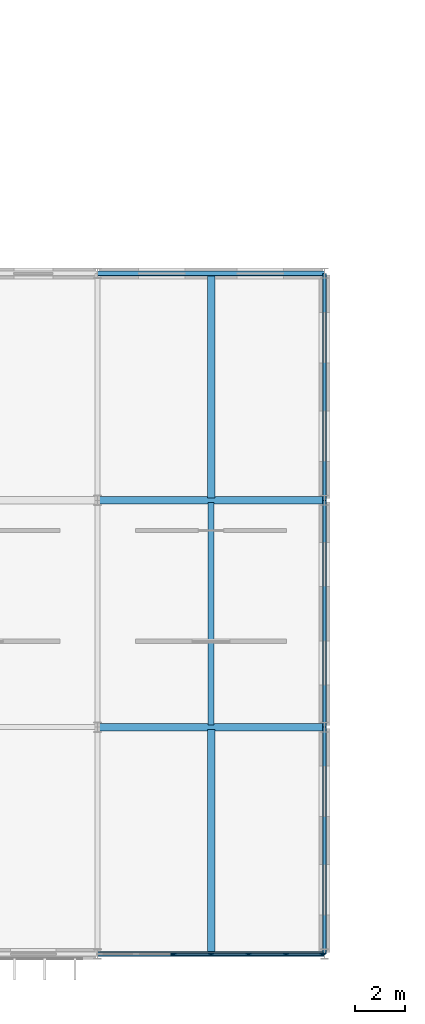
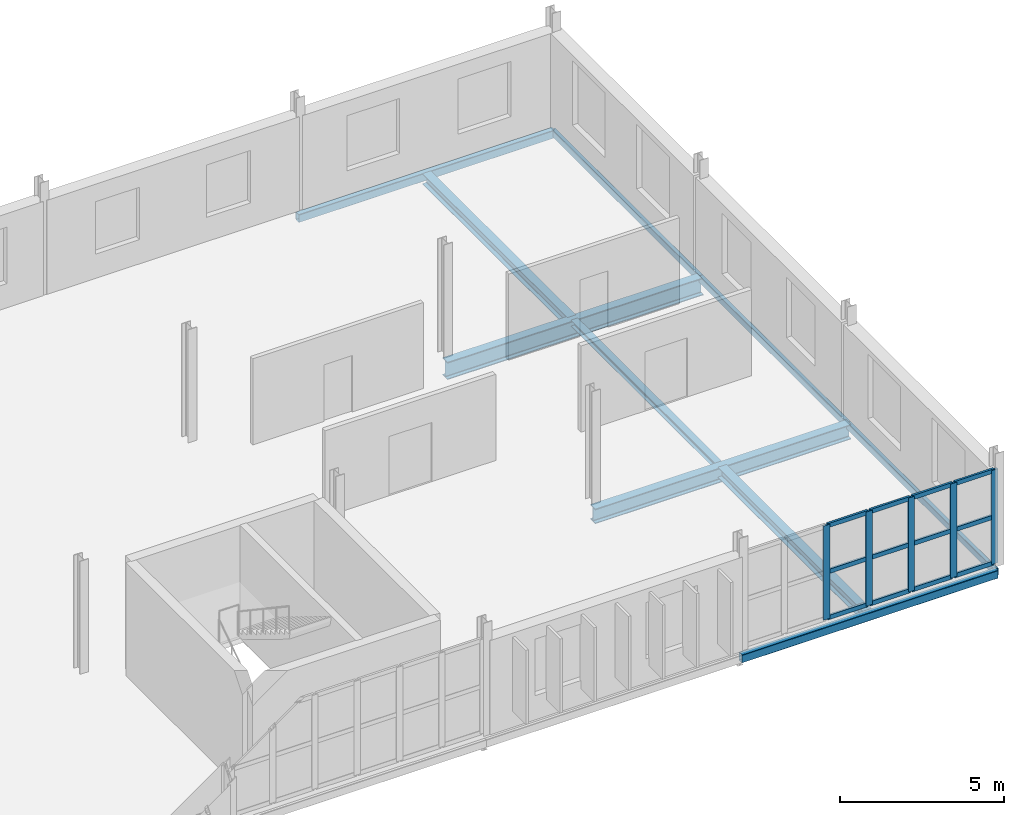
# One storey, part 76 of 161: 17 members, 10 beams, 1 element without a shape of its own.
"""IFC4 building model written with IfcOpenShell, lengths in metres."""

from ifc_helpers import new_model, si_unit, direction, frame, origin, origin_2d, place, context, subcontext, project, spatial, rectangle, hollow_rectangle, i_section, extrude, material, material_profile, profile_set, type_object, element, aggregate, save


model = new_model("IFC4")

# Units and contexts
model_context = context("Model", 3, precision=1e-05, world=origin(), true_north=direction((0.0, 1.0)))
body_context = subcontext(model_context, "Body", "Model", "MODEL_VIEW")
ifc_project = project(units=[si_unit("LENGTHUNIT", "METRE"), si_unit("AREAUNIT", "SQUARE_METRE"), si_unit("VOLUMEUNIT", "CUBIC_METRE"), si_unit("PLANEANGLEUNIT", "RADIAN"), si_unit("MASSUNIT", "GRAM", prefix="KILO")], contexts=[model_context])

# Site, building, storey
site_placement = place(None, origin())
site = spatial("IfcSite", under=ifc_project, at=site_placement, CompositionType="ELEMENT")
building_placement = place(site_placement, origin())
building = spatial("IfcBuilding", under=site, at=building_placement, Name="Kildeholm Park Wholesale Market", CompositionType="ELEMENT")
storey_placement = place(building_placement, frame((0.0, 0.0, 5.39990234375)))
storey = spatial("IfcBuildingStorey", under=building, at=storey_placement, Name="L01", CompositionType="ELEMENT", Elevation=5.39990234375)

# Beams
ifc_material_1 = material(Name="Steel S355", Category="steel")
ifc_material_profile_1 = material_profile(ifc_material_1, i_section(OverallWidth=0.300048828125, OverallDepth=0.550048828125, WebThickness=0.014892578125, FlangeThickness=0.029052734375, FilletRadius=0.027099609375, at=origin_2d()), Name="HEB 550")
ifc_profile_set_1 = profile_set([ifc_material_profile_1], Name="Steel S355")
beam_type_1 = type_object("IfcBeamType", Name="Beam B-X03 HEB 550", PredefinedType="BEAM", material=ifc_profile_set_1)
beam_1_placement = place(storey_placement, frame((189.0, 9.0, -0.514892578125), z_axis=(1.0, 0.0, 0.0), x_axis=(0.0, 1.0, 0.0)))
element("IfcBeam", 1, at=beam_1_placement, inside=storey, type_object=beam_type_1, Name="Beam BM-V5E-L01-X-189-009 BM-1591", PredefinedType="BEAM", context=body_context, shape_type="SweptSolid", body=[
    extrude(i_section(OverallWidth=0.300048828125, OverallDepth=0.550048828125, WebThickness=0.014892578125, FlangeThickness=0.029052734375, FilletRadius=0.027099609375, at=origin_2d()), origin(), (0.0, 0.0, 1.0), 9.0),
])
ifc_material_profile_2 = material_profile(ifc_material_1, i_section(OverallWidth=0.300048828125, OverallDepth=0.64990234375, WebThickness=0.01611328125, FlangeThickness=0.031005859375, FilletRadius=0.027099609375, at=origin_2d()), Name="HEB 650")
ifc_profile_set_2 = profile_set([ifc_material_profile_2], Name="Steel S355")
beam_type_2 = type_object("IfcBeamType", Name="Beam B-X04 HEB 650", PredefinedType="BEAM", material=ifc_profile_set_2)
beam_2_placement = place(storey_placement, frame((189.0, 18.0, -0.56494140625), z_axis=(1.0, 0.0, 0.0), x_axis=(0.0, 1.0, 0.0)))
element("IfcBeam", 2, at=beam_2_placement, inside=storey, type_object=beam_type_2, Name="Beam BM-V5E-L01-X-189-018 BM-1594", PredefinedType="BEAM", context=body_context, shape_type="SweptSolid", body=[
    extrude(i_section(OverallWidth=0.300048828125, OverallDepth=0.64990234375, WebThickness=0.01611328125, FlangeThickness=0.031005859375, FilletRadius=0.027099609375, at=origin_2d()), origin(), (0.0, 0.0, 1.0), 9.0),
])
ifc_material_profile_3 = material_profile(ifc_material_1, i_section(OverallWidth=0.239990234375, OverallDepth=0.22998046875, WebThickness=0.007568359375, FlangeThickness=0.011962890625, FilletRadius=0.02099609375, at=origin_2d()), Name="HEA 240")
ifc_profile_set_3 = profile_set([ifc_material_profile_3], Name="Steel S355")
beam_type_3 = type_object("IfcBeamType", Name="Beam J-05 HEA 240", PredefinedType="JOIST", material=ifc_profile_set_3)
beam_3_placement = place(storey_placement, frame((193.5, 9.0849609375, -0.35498046875), z_axis=(0.0, 1.0, 0.0), x_axis=(-1.0, 0.0, 0.0)))
element("IfcBeam", 3, at=beam_3_placement, inside=storey, type_object=beam_type_3, Name="Beam JT-V5E-L01-189-009 BM-1593", PredefinedType="JOIST", context=body_context, shape_type="SweptSolid", body=[
    extrude(i_section(OverallWidth=0.239990234375, OverallDepth=0.22998046875, WebThickness=0.007568359375, FlangeThickness=0.011962890625, FilletRadius=0.02099609375, at=origin_2d()), origin(), (0.0, 0.0, 1.0), 8.830078125),
])
ifc_material_profile_4 = material_profile(ifc_material_1, i_section(OverallWidth=0.300048828125, OverallDepth=0.389892578125, WebThickness=0.010986328125, FlangeThickness=0.01904296875, FilletRadius=0.027099609375, at=origin_2d()), Name="HEA 400")
ifc_profile_set_4 = profile_set([ifc_material_profile_4], Name="Steel S355")
beam_type_4 = type_object("IfcBeamType", Name="Beam J-06 HEA 400", PredefinedType="JOIST", material=ifc_profile_set_4)
for number, where, z_axis, x_axis, name in (
    (4, (193.5, 0.0849609375, -0.434814453125), (0.0, 1.0, 0.0), (-1.0, 0.0, 0.0), "Beam JT-V5E-L01-189-000 BM-1590"),
    (5, (193.5, 18.0849609375, -0.434814453125), (0.0, 1.0, 0.0), (-1.0, 0.0, 0.0), "Beam JT-V5E-L01-189-018 BM-1596"),
):
    element("IfcBeam", number, at=place(storey_placement, frame(where, z_axis=z_axis, x_axis=x_axis)), inside=storey, type_object=beam_type_4, Name=name, PredefinedType="JOIST", context=body_context, shape_type="SweptSolid", body=[
        extrude(i_section(OverallWidth=0.300048828125, OverallDepth=0.389892578125, WebThickness=0.010986328125, FlangeThickness=0.01904296875, FilletRadius=0.027099609375, at=origin_2d()), origin(), (0.0, 0.0, 1.0), 8.830078125),
    ])
ifc_material_profile_5 = material_profile(ifc_material_1, hollow_rectangle(XDim=0.199951171875, YDim=0.300048828125, WallThickness=0.012451171875, InnerFilletRadius=0.012451171875, OuterFilletRadius=0.02490234375, at=origin_2d()), Name="RHS 300x200x12.5")
ifc_profile_set_5 = profile_set([ifc_material_profile_5], Name="Steel S355")
beam_type_5 = type_object("IfcBeamType", Name="Beam SP-01 RHS 300x200x12.5", PredefinedType="SPANDREL", material=ifc_profile_set_5)
for number, where, z_axis, x_axis, name in (
    (6, (189.0, 0.0, -0.389892578125), (1.0, 0.0, 0.0), (0.0, 1.0, 0.0), "Beam BM-V5E-L01-X-189-000 BM-1588"),
    (7, (189.0, 27.0, -0.389892578125), (1.0, 0.0, 0.0), (0.0, 1.0, 0.0), "Beam BM-V5E-L01-X-189-027 BM-1597"),
):
    element("IfcBeam", number, at=place(storey_placement, frame(where, z_axis=z_axis, x_axis=x_axis)), inside=storey, type_object=beam_type_5, Name=name, PredefinedType="SPANDREL", context=body_context, shape_type="SweptSolid", body=[
        extrude(hollow_rectangle(XDim=0.199951171875, YDim=0.300048828125, WallThickness=0.012451171875, InnerFilletRadius=0.012451171875, OuterFilletRadius=0.02490234375, at=origin_2d()), origin(), (0.0, 0.0, 1.0), 9.0),
    ])
ifc_material_profile_6 = material_profile(ifc_material_1, hollow_rectangle(XDim=0.14990234375, YDim=0.25, WallThickness=0.010009765625, InnerFilletRadius=0.010009765625, OuterFilletRadius=0.02001953125, at=origin_2d()), Name="RHS 250x150x10")
ifc_profile_set_6 = profile_set([ifc_material_profile_6], Name="Steel S355")
beam_type_6 = type_object("IfcBeamType", Name="Beam SP-02 RHS 250x150x10", PredefinedType="SPANDREL", material=ifc_profile_set_6)
for number, where, z_axis, x_axis, name in (
    (8, (198.0, 0.0, -0.364990234375), (0.0, 1.0, 0.0), (-1.0, 0.0, 0.0), "Beam BM-V5E-L01-Y-198-000 BM-1598"),
    (9, (198.0, 9.0, -0.364990234375), (0.0, 1.0, 0.0), (-1.0, 0.0, 0.0), "Beam BM-V5E-L01-Y-198-009 BM-1599"),
    (10, (198.0, 18.0, -0.364990234375), (0.0, 1.0, 0.0), (-1.0, 0.0, 0.0), "Beam BM-V5E-L01-Y-198-018 BM-1600"),
):
    element("IfcBeam", number, at=place(storey_placement, frame(where, z_axis=z_axis, x_axis=x_axis)), inside=storey, type_object=beam_type_6, Name=name, PredefinedType="SPANDREL", context=body_context, shape_type="SweptSolid", body=[
        extrude(hollow_rectangle(XDim=0.14990234375, YDim=0.25, WallThickness=0.010009765625, InnerFilletRadius=0.010009765625, OuterFilletRadius=0.02001953125, at=origin_2d()), origin(), (0.0, 0.0, 1.0), 9.0),
    ])

# Curtain wall, members
ifc_material_2 = material(Name="Anodised aluminium and low-E double-glazed glass", Category="aluminium")
curtain_wall_type = type_object("IfcCurtainWallType", Name="Park wing thermally broken curtain wall CW-03", PredefinedType="NOTDEFINED", material=ifc_material_2)
curtain_wall_placement = place(storey_placement, origin())
curtain_wall = element("IfcCurtainWall", 11, at=curtain_wall_placement, inside=storey, type_object=curtain_wall_type, Name="Curtain wall CW-V5E-L01-S-08 CW-0154", PredefinedType="NOTDEFINED")
ifc_material_3 = material(Name="Anodised aluminium", Category="aluminium")
ifc_material_profile_7 = material_profile(ifc_material_3, rectangle(XDim=0.074951171875, YDim=0.219970703125, at=origin_2d()), Name="CWM 75x220")
ifc_profile_set_7 = profile_set([ifc_material_profile_7], Name="Anodised aluminium")
member_type_1 = type_object("IfcMemberType", Name="Curtain-wall mullion CWM-2 CWM 75x220", PredefinedType="MULLION", material=ifc_profile_set_7)
member_1_placement = place(storey_placement, frame((192.013427734375, 0.0, 0.0), z_axis=(0.0, 0.0, 1.0), x_axis=(0.0, 1.0, 0.0)))
member_1 = element("IfcMember", 12, at=member_1_placement, type_object=member_type_1, Name="CW-03 mullion 3 MEM-4717", PredefinedType="MULLION", context=body_context, shape_type="SweptSolid", body=[
    extrude(rectangle(XDim=0.074951171875, YDim=0.219970703125, at=origin_2d()), origin(), (0.0, 0.0, 1.0), 3.5),
])
member_2_placement = place(storey_placement, frame((193.5, 0.0, 0.0), z_axis=(0.0, 0.0, 1.0), x_axis=(0.0, 1.0, 0.0)))
member_2 = element("IfcMember", 13, at=member_2_placement, type_object=member_type_1, Name="CW-03 mullion 4 MEM-4718", PredefinedType="MULLION", context=body_context, shape_type="SweptSolid", body=[
    extrude(rectangle(XDim=0.074951171875, YDim=0.219970703125, at=origin_2d()), origin(), (0.0, 0.0, 1.0), 3.5),
])
member_3_placement = place(storey_placement, frame((194.986572265625, 0.0, 0.0), z_axis=(0.0, 0.0, 1.0), x_axis=(0.0, 1.0, 0.0)))
member_3 = element("IfcMember", 14, at=member_3_placement, type_object=member_type_1, Name="CW-03 mullion 5 MEM-4719", PredefinedType="MULLION", context=body_context, shape_type="SweptSolid", body=[
    extrude(rectangle(XDim=0.074951171875, YDim=0.219970703125, at=origin_2d()), origin(), (0.0, 0.0, 1.0), 3.5),
])
member_4_placement = place(storey_placement, frame((196.473388671875, 0.0, 0.0), z_axis=(0.0, 0.0, 1.0), x_axis=(0.0, 1.0, 0.0)))
member_4 = element("IfcMember", 15, at=member_4_placement, type_object=member_type_1, Name="CW-03 mullion 6 MEM-4720", PredefinedType="MULLION", context=body_context, shape_type="SweptSolid", body=[
    extrude(rectangle(XDim=0.074951171875, YDim=0.219970703125, at=origin_2d()), origin(), (0.0, 0.0, 1.0), 3.5),
])
member_5_placement = place(storey_placement, frame((197.922607421875, 0.0, 0.0), z_axis=(0.0, 0.0, 1.0), x_axis=(0.0, 1.0, 0.0)))
member_5 = element("IfcMember", 16, at=member_5_placement, type_object=member_type_1, Name="CW-03 mullion 7 MEM-4721", PredefinedType="MULLION", context=body_context, shape_type="SweptSolid", body=[
    extrude(rectangle(XDim=0.074951171875, YDim=0.219970703125, at=origin_2d()), origin(), (0.0, 0.0, 1.0), 3.5),
])
ifc_material_profile_8 = material_profile(ifc_material_3, rectangle(XDim=0.074951171875, YDim=0.159912109375, at=origin_2d()), Name="CWT 75x160")
ifc_profile_set_8 = profile_set([ifc_material_profile_8], Name="Anodised aluminium")
member_type_2 = type_object("IfcMemberType", Name="Curtain-wall transom CWT-2 CWT 75x160", PredefinedType="USERDEFINED", material=ifc_profile_set_8)
member_6_placement = place(storey_placement, frame((192.05078125, 0.0, 0.03759765625), z_axis=(1.0, 0.0, 0.0), x_axis=(0.0, 1.0, 0.0)))
member_6 = element("IfcMember", 17, at=member_6_placement, type_object=member_type_2, Name="CW-03 transom 3.1 MEM-4728", ObjectType="TRANSOM", PredefinedType="USERDEFINED", context=body_context, shape_type="SweptSolid", body=[
    extrude(rectangle(XDim=0.074951171875, YDim=0.159912109375, at=origin_2d()), origin(), (0.0, 0.0, 1.0), 1.41162109375),
])
member_7_placement = place(storey_placement, frame((192.05078125, 0.0, 1.75), z_axis=(1.0, 0.0, 0.0), x_axis=(0.0, 1.0, 0.0)))
member_7 = element("IfcMember", 18, at=member_7_placement, type_object=member_type_2, Name="CW-03 transom 3.2 MEM-4729", ObjectType="TRANSOM", PredefinedType="USERDEFINED", context=body_context, shape_type="SweptSolid", body=[
    extrude(rectangle(XDim=0.074951171875, YDim=0.159912109375, at=origin_2d()), origin(), (0.0, 0.0, 1.0), 1.41162109375),
])
member_8_placement = place(storey_placement, frame((192.05078125, 0.0, 3.462646484375), z_axis=(1.0, 0.0, 0.0), x_axis=(0.0, 1.0, 0.0)))
member_8 = element("IfcMember", 19, at=member_8_placement, type_object=member_type_2, Name="CW-03 transom 3.3 MEM-4730", ObjectType="TRANSOM", PredefinedType="USERDEFINED", context=body_context, shape_type="SweptSolid", body=[
    extrude(rectangle(XDim=0.074951171875, YDim=0.159912109375, at=origin_2d()), origin(), (0.0, 0.0, 1.0), 1.41162109375),
])
member_9_placement = place(storey_placement, frame((193.53759765625, 0.0, 0.03759765625), z_axis=(1.0, 0.0, 0.0), x_axis=(0.0, 1.0, 0.0)))
member_9 = element("IfcMember", 20, at=member_9_placement, type_object=member_type_2, Name="CW-03 transom 4.1 MEM-4731", ObjectType="TRANSOM", PredefinedType="USERDEFINED", context=body_context, shape_type="SweptSolid", body=[
    extrude(rectangle(XDim=0.074951171875, YDim=0.159912109375, at=origin_2d()), origin(), (0.0, 0.0, 1.0), 1.41162109375),
])
member_10_placement = place(storey_placement, frame((193.53759765625, 0.0, 1.75), z_axis=(1.0, 0.0, 0.0), x_axis=(0.0, 1.0, 0.0)))
member_10 = element("IfcMember", 21, at=member_10_placement, type_object=member_type_2, Name="CW-03 transom 4.2 MEM-4732", ObjectType="TRANSOM", PredefinedType="USERDEFINED", context=body_context, shape_type="SweptSolid", body=[
    extrude(rectangle(XDim=0.074951171875, YDim=0.159912109375, at=origin_2d()), origin(), (0.0, 0.0, 1.0), 1.41162109375),
])
member_11_placement = place(storey_placement, frame((193.53759765625, 0.0, 3.462646484375), z_axis=(1.0, 0.0, 0.0), x_axis=(0.0, 1.0, 0.0)))
member_11 = element("IfcMember", 22, at=member_11_placement, type_object=member_type_2, Name="CW-03 transom 4.3 MEM-4733", ObjectType="TRANSOM", PredefinedType="USERDEFINED", context=body_context, shape_type="SweptSolid", body=[
    extrude(rectangle(XDim=0.074951171875, YDim=0.159912109375, at=origin_2d()), origin(), (0.0, 0.0, 1.0), 1.41162109375),
])
member_12_placement = place(storey_placement, frame((195.024169921875, 0.0, 0.03759765625), z_axis=(1.0, 0.0, 0.0), x_axis=(0.0, 1.0, 0.0)))
member_12 = element("IfcMember", 23, at=member_12_placement, type_object=member_type_2, Name="CW-03 transom 5.1 MEM-4734", ObjectType="TRANSOM", PredefinedType="USERDEFINED", context=body_context, shape_type="SweptSolid", body=[
    extrude(rectangle(XDim=0.074951171875, YDim=0.159912109375, at=origin_2d()), origin(), (0.0, 0.0, 1.0), 1.41162109375),
])
member_13_placement = place(storey_placement, frame((195.024169921875, 0.0, 1.75), z_axis=(1.0, 0.0, 0.0), x_axis=(0.0, 1.0, 0.0)))
member_13 = element("IfcMember", 24, at=member_13_placement, type_object=member_type_2, Name="CW-03 transom 5.2 MEM-4735", ObjectType="TRANSOM", PredefinedType="USERDEFINED", context=body_context, shape_type="SweptSolid", body=[
    extrude(rectangle(XDim=0.074951171875, YDim=0.159912109375, at=origin_2d()), origin(), (0.0, 0.0, 1.0), 1.41162109375),
])
member_14_placement = place(storey_placement, frame((195.024169921875, 0.0, 3.462646484375), z_axis=(1.0, 0.0, 0.0), x_axis=(0.0, 1.0, 0.0)))
member_14 = element("IfcMember", 25, at=member_14_placement, type_object=member_type_2, Name="CW-03 transom 5.3 MEM-4736", ObjectType="TRANSOM", PredefinedType="USERDEFINED", context=body_context, shape_type="SweptSolid", body=[
    extrude(rectangle(XDim=0.074951171875, YDim=0.159912109375, at=origin_2d()), origin(), (0.0, 0.0, 1.0), 1.41162109375),
])
member_15_placement = place(storey_placement, frame((196.5107421875, 0.0, 0.03759765625), z_axis=(1.0, 0.0, 0.0), x_axis=(0.0, 1.0, 0.0)))
member_15 = element("IfcMember", 26, at=member_15_placement, type_object=member_type_2, Name="CW-03 transom 6.1 MEM-4737", ObjectType="TRANSOM", PredefinedType="USERDEFINED", context=body_context, shape_type="SweptSolid", body=[
    extrude(rectangle(XDim=0.074951171875, YDim=0.159912109375, at=origin_2d()), origin(), (0.0, 0.0, 1.0), 1.374267578125),
])
member_16_placement = place(storey_placement, frame((196.5107421875, 0.0, 1.75), z_axis=(1.0, 0.0, 0.0), x_axis=(0.0, 1.0, 0.0)))
member_16 = element("IfcMember", 27, at=member_16_placement, type_object=member_type_2, Name="CW-03 transom 6.2 MEM-4738", ObjectType="TRANSOM", PredefinedType="USERDEFINED", context=body_context, shape_type="SweptSolid", body=[
    extrude(rectangle(XDim=0.074951171875, YDim=0.159912109375, at=origin_2d()), origin(), (0.0, 0.0, 1.0), 1.374267578125),
])
member_17_placement = place(storey_placement, frame((196.5107421875, 0.0, 3.462646484375), z_axis=(1.0, 0.0, 0.0), x_axis=(0.0, 1.0, 0.0)))
member_17 = element("IfcMember", 28, at=member_17_placement, type_object=member_type_2, Name="CW-03 transom 6.3 MEM-4739", ObjectType="TRANSOM", PredefinedType="USERDEFINED", context=body_context, shape_type="SweptSolid", body=[
    extrude(rectangle(XDim=0.074951171875, YDim=0.159912109375, at=origin_2d()), origin(), (0.0, 0.0, 1.0), 1.374267578125),
])
aggregate(curtain_wall, [member_1, member_2, member_3, member_4, member_5, member_6, member_7, member_8, member_9, member_10, member_11, member_12, member_13, member_14, member_15, member_16, member_17])

save(model, "model.ifc")
